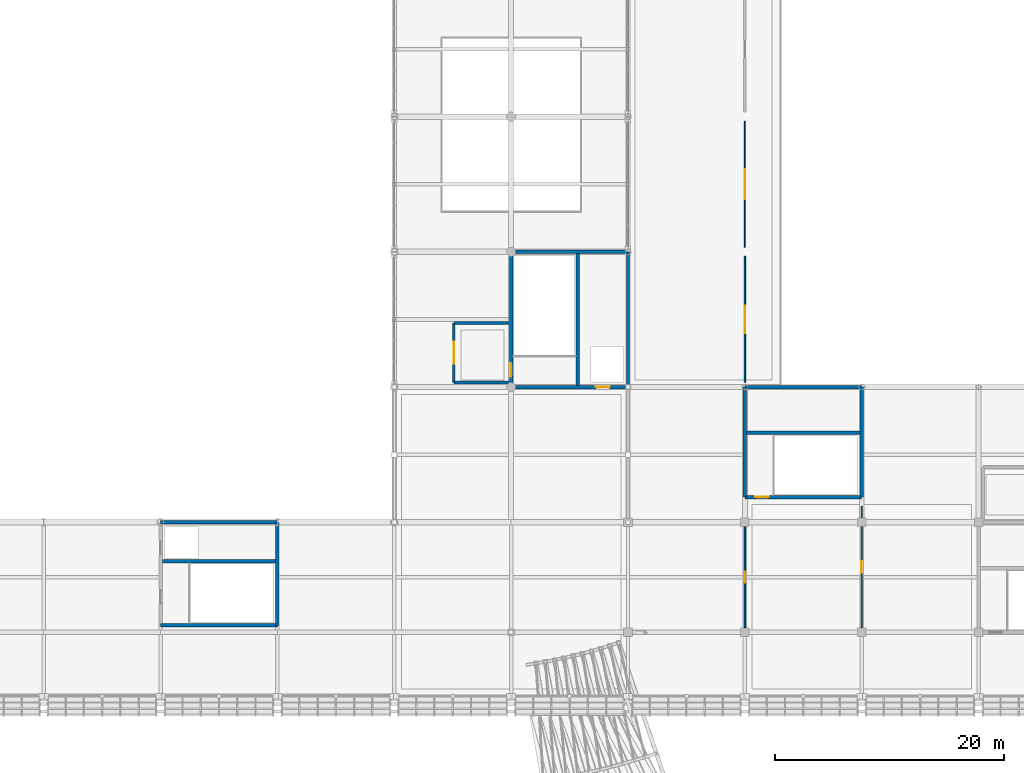
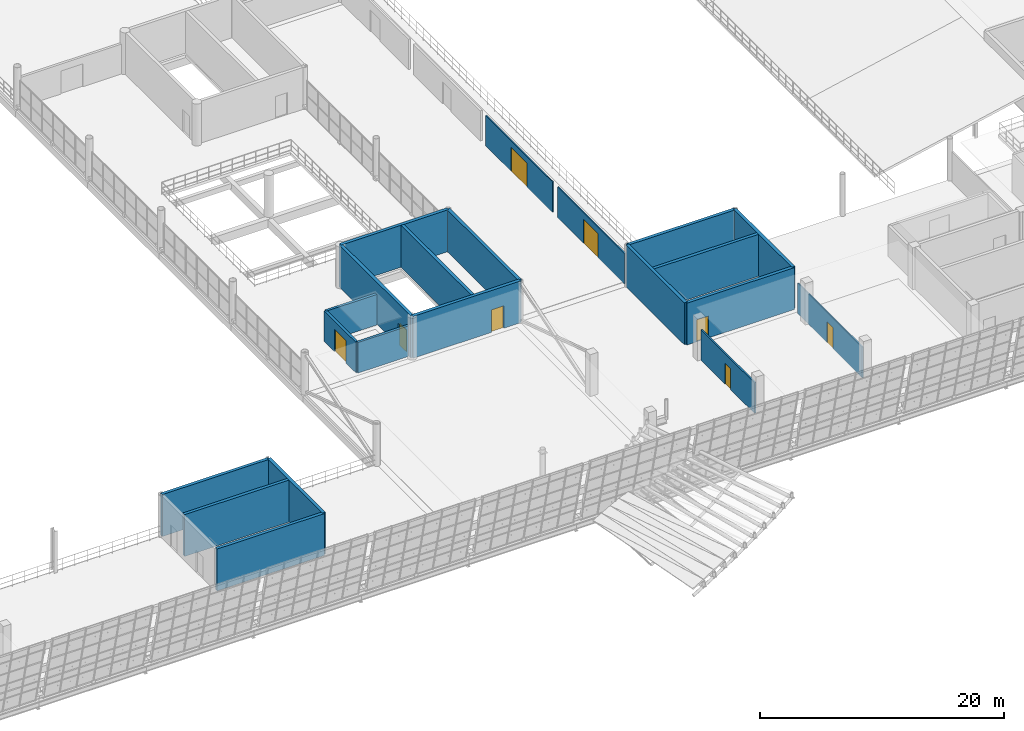
# One storey, part 129 of 157: 21 walls, 8 doors, 8 openings.
"""IFC4 building model written with IfcOpenShell, lengths in metres."""

from ifc_helpers import new_model, si_unit, direction, frame, frame_2d, origin, place, context, subcontext, project, spatial, rectangle, extrude, material, layer, layer_set, type_object, element, fill, save


model = new_model("IFC4")

# Units and contexts
model_context = context("Model", 3, precision=1e-05, world=origin(), true_north=direction((0.0, 1.0)))
body_context = subcontext(model_context, "Body", "Model", "MODEL_VIEW")
ifc_project = project(units=[si_unit("LENGTHUNIT", "METRE"), si_unit("AREAUNIT", "SQUARE_METRE"), si_unit("VOLUMEUNIT", "CUBIC_METRE"), si_unit("PLANEANGLEUNIT", "RADIAN"), si_unit("MASSUNIT", "GRAM", prefix="KILO")], contexts=[model_context])

# Site, building, storey
site_placement = place(None, origin())
site = spatial("IfcSite", under=ifc_project, at=site_placement, CompositionType="ELEMENT")
building_placement = place(site_placement, origin())
building = spatial("IfcBuilding", under=site, at=building_placement, Name="Brelvane Convention Centre", CompositionType="ELEMENT")
storey_placement = place(building_placement, frame((0.0, 0.0, 10.800048828125)))
storey = spatial("IfcBuildingStorey", under=building, at=storey_placement, Name="L02", CompositionType="ELEMENT", Elevation=10.800048828125)

# Wall, opening, door
ifc_material_1 = material(Name="Fire-Rated Acoustic Gypsum Partition Board Grade A")
ifc_layer_1 = layer(ifc_material_1, 0.14501953125)
ifc_layer_set_1 = layer_set([ifc_layer_1], Name="Fire-Rated Acoustic Gypsum Partition Board Grade A")
wall_type_1 = type_object("IfcWallType", Name="Interior Wall IW-AC-145", PredefinedType="PARTITIONING", material=ifc_layer_set_1)
wall_1_placement = place(storey_placement, frame((173.39990234375, 19.60009765625, 0.0), z_axis=(0.0, 0.0, 1.0), x_axis=(0.0, 1.0, 0.0)))
wall_1 = element("IfcWall", 1, at=wall_1_placement, inside=storey, type_object=wall_type_1, Name="Interior Partition L02-BIL1", PredefinedType="PARTITIONING", context=body_context, shape_type="SweptSolid", body=[
    extrude(rectangle(XDim=8.7998046875, YDim=0.14501953125, at=frame_2d((4.39990234375, 0.0))), origin(), (0.0, 0.0, 1.0), 3.06005859375),
])
opening_1_placement = place(wall_1_placement, frame((3.929931640625, 0.0, 0.0)))
opening_1 = element("IfcOpeningElement", 2, at=opening_1_placement, cuts=wall_1, Name="Opening DR-IN-11R", PredefinedType="OPENING", context=body_context, shape_type="SweptSolid", body=[
    extrude(rectangle(XDim=0.93994140625, YDim=2.080078125, at=frame_2d((0.469970703125, 1.0400390625))), frame((0.0, 0.08251953125, 0.0), z_axis=(0.0, -1.0, 0.0), x_axis=(1.0, 0.0, 0.0)), (0.0, 0.0, 1.0), 0.1650390625),
])
ifc_material_2 = material(Name="Solid-Core Fire-Rated Hardwood Leaf Grade 1", Category="wood")
door_type_1 = type_object("IfcDoorType", Name="Interior Door DR-IN-11R", OperationType="NOTDEFINED", PredefinedType="DOOR", material=ifc_material_2)
door_1_placement = place(opening_1_placement, origin())
door_1 = element("IfcDoor", 3, at=door_1_placement, inside=storey, type_object=door_type_1, Name="Interior Door L02-BIL1 (DR-IN-11R)", OperationType="SINGLE_SWING_RIGHT", OverallHeight=2.080078125, OverallWidth=0.93994140625, PredefinedType="DOOR", context=body_context, shape_type="SweptSolid", body=[
    extrude(rectangle(XDim=0.93994140625, YDim=2.080078125, at=frame_2d((0.469970703125, 1.0400390625))), frame((0.0, 0.02490234375, 0.0), z_axis=(0.0, -1.0, 0.0), x_axis=(1.0, 0.0, 0.0)), (0.0, 0.0, 1.0), 0.050048828125),
])
fill(opening_1, door_1)

ifc_material_3 = material(Name="Concrete M40", Category="concrete")
ifc_layer_2 = layer(ifc_material_3, 0.239990234375)
ifc_layer_set_2 = layer_set([ifc_layer_2], Name="Concrete M40")
wall_type_2 = type_object("IfcWallType", Name="Interior Wall IW-FR-240", PredefinedType="PARTITIONING", material=ifc_layer_set_2)
wall_2_placement = place(storey_placement, frame((148.0, 41.0, 0.0), z_axis=(0.0, 0.0, 1.0), x_axis=(0.0, 1.0, 0.0)))
wall_2 = element("IfcWall", 4, at=wall_2_placement, inside=storey, type_object=wall_type_2, Name="Firefighting Lobby C3 Wall W (L02)", PredefinedType="PARTITIONING", context=body_context, shape_type="SweptSolid", body=[
    extrude(rectangle(XDim=5.199951171875, YDim=0.239990234375, at=frame_2d((2.60009765625, 0.0))), origin(), (0.0, 0.0, 1.0), 3.06005859375),
])
opening_2_placement = place(wall_2_placement, frame((1.64990234375, 0.0, 0.0)))
opening_2 = element("IfcOpeningElement", 5, at=opening_2_placement, cuts=wall_2, Name="Opening DR-FL-01", PredefinedType="OPENING", context=body_context, shape_type="SweptSolid", body=[
    extrude(rectangle(XDim=1.89990234375, YDim=2.25, at=frame_2d((0.949951171875, 1.125))), frame((0.0, 0.1298828125, 0.0), z_axis=(0.0, -1.0, 0.0), x_axis=(1.0, 0.0, 0.0)), (0.0, 0.0, 1.0), 0.260009765625),
])
ifc_material_4 = material(Name="Galvanised Hollow-Metal Fire Door Steel E250", Category="steel")
door_type_2 = type_object("IfcDoorType", Name="Interior Door DR-FL-01", OperationType="NOTDEFINED", PredefinedType="DOOR", material=ifc_material_4)
door_2_placement = place(opening_2_placement, origin())
door_2 = element("IfcDoor", 6, at=door_2_placement, inside=storey, type_object=door_type_2, Name="Firefighting Lobby C3 Smoke Door (L02)", OperationType="DOUBLE_DOOR_SINGLE_SWING", OverallHeight=2.25, OverallWidth=1.89990234375, PredefinedType="DOOR", context=body_context, shape_type="SweptSolid", body=[
    extrude(rectangle(XDim=1.89990234375, YDim=2.25, at=frame_2d((0.949951171875, 1.125))), frame((0.0, 0.02490234375, 0.0), z_axis=(0.0, -1.0, 0.0), x_axis=(1.0, 0.0, 0.0)), (0.0, 0.0, 1.0), 0.050048828125),
])
fill(opening_2, door_2)

# Walls
for number, where, z_axis, x_axis, name in (
    (7, (148.0, 46.199951171875, 0.0), (0.0, 0.0, 1.0), (1.0, 0.0, 0.0), "Firefighting Lobby C3 Wall N (L02)"),
    (8, (148.0, 41.0, 0.0), (0.0, 0.0, 1.0), (1.0, 0.0, 0.0), "Firefighting Lobby C3 Wall S (L02)"),
):
    element("IfcWall", number, at=place(storey_placement, frame(where, z_axis=z_axis, x_axis=x_axis)), inside=storey, type_object=wall_type_2, Name=name, PredefinedType="PARTITIONING", context=body_context, shape_type="SweptSolid", body=[
        extrude(rectangle(XDim=4.800048828125, YDim=0.239990234375, at=frame_2d((2.39990234375, 0.0))), origin(), (0.0, 0.0, 1.0), 3.06005859375),
    ])

# Wall, opening, door
ifc_material_5 = material(Name="Fire-Rated Acoustic Gypsum Partition Board Grade A")
ifc_layer_3 = layer(ifc_material_5, 0.10498046875)
ifc_layer_set_3 = layer_set([ifc_layer_3], Name="Fire-Rated Acoustic Gypsum Partition Board Grade A")
wall_type_3 = type_object("IfcWallType", Name="Interior Wall IW-PT-105", PredefinedType="PARTITIONING", material=ifc_layer_set_3)
wall_3_placement = place(storey_placement, frame((173.39990234375, 52.800048828125, 0.0), z_axis=(0.0, 0.0, 1.0), x_axis=(0.0, 1.0, 0.0)))
wall_3 = element("IfcWall", 9, at=wall_3_placement, inside=storey, type_object=wall_type_3, Name="Interior Partition L02-PLEN-W2", PredefinedType="PARTITIONING", context=body_context, shape_type="SweptSolid", body=[
    extrude(rectangle(XDim=11.0, YDim=0.10498046875, at=frame_2d((5.5, 0.0))), origin(), (0.0, 0.0, 1.0), 3.06005859375),
])
opening_3_placement = place(wall_3_placement, frame((4.199951171875, 0.0, 0.0)))
opening_3 = element("IfcOpeningElement", 10, at=opening_3_placement, cuts=wall_3, Name="Opening DR-IN-09", PredefinedType="OPENING", context=body_context, shape_type="SweptSolid", body=[
    extrude(rectangle(XDim=2.60009765625, YDim=2.39990234375, at=frame_2d((1.300048828125, 1.199951171875))), frame((0.0, 0.0625, 0.0), z_axis=(0.0, -1.0, 0.0), x_axis=(1.0, 0.0, 0.0)), (0.0, 0.0, 1.0), 0.125),
])
ifc_material_6 = material(Name="Galvanised Hollow-Metal Fire Door Steel E250", Category="steel")
door_type_3 = type_object("IfcDoorType", Name="Interior Door DR-IN-09", OperationType="NOTDEFINED", PredefinedType="DOOR", material=ifc_material_6)
door_3_placement = place(opening_3_placement, origin())
door_3 = element("IfcDoor", 11, at=door_3_placement, inside=storey, type_object=door_type_3, Name="Interior Door L02-PLEN-W2 (DR-IN-09)", OperationType="DOUBLE_DOOR_SINGLE_SWING", OverallHeight=2.39990234375, OverallWidth=2.60009765625, PredefinedType="DOOR", context=body_context, shape_type="SweptSolid", body=[
    extrude(rectangle(XDim=2.60009765625, YDim=2.39990234375, at=frame_2d((1.300048828125, 1.199951171875))), frame((0.0, 0.02490234375, 0.0), z_axis=(0.0, -1.0, 0.0), x_axis=(1.0, 0.0, 0.0)), (0.0, 0.0, 1.0), 0.050048828125),
])
fill(opening_3, door_3)

ifc_material_7 = material(Name="Fire-Rated Acoustic Gypsum Partition Board Grade A")
ifc_layer_4 = layer(ifc_material_7, 0.114990234375)
ifc_layer_set_4 = layer_set([ifc_layer_4], Name="Fire-Rated Acoustic Gypsum Partition Board Grade A")
wall_type_4 = type_object("IfcWallType", Name="Interior Wall IW-PT-115", PredefinedType="PARTITIONING", material=ifc_layer_set_4)
wall_4_placement = place(storey_placement, frame((173.39990234375, 41.0, 0.0), z_axis=(0.0, 0.0, 1.0), x_axis=(0.0, 1.0, 0.0)))
wall_4 = element("IfcWall", 12, at=wall_4_placement, inside=storey, type_object=wall_type_4, Name="Interior Partition L02-PLEN-W1", PredefinedType="PARTITIONING", context=body_context, shape_type="SweptSolid", body=[
    extrude(rectangle(XDim=11.0, YDim=0.114990234375, at=frame_2d((5.5, 0.0))), origin(), (0.0, 0.0, 1.0), 3.06005859375),
])
opening_4_placement = place(wall_4_placement, frame((4.300048828125, 0.0, 0.0)))
opening_4 = element("IfcOpeningElement", 13, at=opening_4_placement, cuts=wall_4, Name="Opening DR-IN-08", PredefinedType="OPENING", context=body_context, shape_type="SweptSolid", body=[
    extrude(rectangle(XDim=2.39990234375, YDim=2.39990234375, at=frame_2d((1.199951171875, 1.199951171875))), frame((0.0, 0.0673828125, 0.0), z_axis=(0.0, -1.0, 0.0), x_axis=(1.0, 0.0, 0.0)), (0.0, 0.0, 1.0), 0.135009765625),
])
ifc_material_8 = material(Name="Solid-Core Fire-Rated Hardwood Leaf Grade 1", Category="wood")
door_type_4 = type_object("IfcDoorType", Name="Interior Door DR-IN-08", OperationType="NOTDEFINED", PredefinedType="DOOR", material=ifc_material_8)
door_4_placement = place(opening_4_placement, origin())
door_4 = element("IfcDoor", 14, at=door_4_placement, inside=storey, type_object=door_type_4, Name="Interior Door L02-PLEN-W1 (DR-IN-08)", OperationType="DOUBLE_DOOR_SINGLE_SWING", OverallHeight=2.39990234375, OverallWidth=2.39990234375, PredefinedType="DOOR", context=body_context, shape_type="SweptSolid", body=[
    extrude(rectangle(XDim=2.39990234375, YDim=2.39990234375, at=frame_2d((1.199951171875, 1.199951171875))), frame((0.0, 0.02490234375, 0.0), z_axis=(0.0, -1.0, 0.0), x_axis=(1.0, 0.0, 0.0)), (0.0, 0.0, 1.0), 0.050048828125),
])
fill(opening_4, door_4)

wall_5_placement = place(storey_placement, frame((183.60009765625, 19.60009765625, 0.0), z_axis=(0.0, 0.0, 1.0), x_axis=(0.0, 1.0, 0.0)))
wall_5 = element("IfcWall", 15, at=wall_5_placement, inside=storey, type_object=wall_type_4, Name="Interior Partition L02-BIL2", PredefinedType="PARTITIONING", context=body_context, shape_type="SweptSolid", body=[
    extrude(rectangle(XDim=10.599853515625, YDim=0.114990234375, at=frame_2d((5.2998046875, 0.0))), origin(), (0.0, 0.0, 1.0), 3.06005859375),
])
opening_5_placement = place(wall_5_placement, frame((4.81005859375, 0.0, 0.0)))
opening_5 = element("IfcOpeningElement", 16, at=opening_5_placement, cuts=wall_5, Name="Opening DR-IN-12L", PredefinedType="OPENING", context=body_context, shape_type="SweptSolid", body=[
    extrude(rectangle(XDim=0.97998046875, YDim=2.1201171875, at=frame_2d((0.489990234375, 1.06005859375))), frame((0.0, 0.0673828125, 0.0), z_axis=(0.0, -1.0, 0.0), x_axis=(1.0, 0.0, 0.0)), (0.0, 0.0, 1.0), 0.135009765625),
])
ifc_material_9 = material(Name="Solid-Core Fire-Rated Hardwood Leaf Grade 1", Category="wood")
door_type_5 = type_object("IfcDoorType", Name="Interior Door DR-IN-12L", OperationType="NOTDEFINED", PredefinedType="DOOR", material=ifc_material_9)
door_5_placement = place(opening_5_placement, origin())
door_5 = element("IfcDoor", 17, at=door_5_placement, inside=storey, type_object=door_type_5, Name="Interior Door L02-BIL2 (DR-IN-12L)", OperationType="SINGLE_SWING_LEFT", OverallHeight=2.1201171875, OverallWidth=0.97998046875, PredefinedType="DOOR", context=body_context, shape_type="SweptSolid", body=[
    extrude(rectangle(XDim=0.97998046875, YDim=2.1201171875, at=frame_2d((0.489990234375, 1.06005859375))), frame((0.0, 0.02490234375, 0.0), z_axis=(0.0, -1.0, 0.0), x_axis=(1.0, 0.0, 0.0)), (0.0, 0.0, 1.0), 0.050048828125),
])
fill(opening_5, door_5)

# Walls
ifc_material_10 = material(Name="Concrete M50", Category="concrete")
ifc_layer_5 = layer(ifc_material_10, 0.300048828125)
ifc_layer_set_5 = layer_set([ifc_layer_5], Name="Concrete M50")
wall_type_5 = type_object("IfcWallType", Name="Structural Wall WL-CORE-300", PredefinedType="SHEAR", material=ifc_layer_set_5)
for number, where, z_axis, x_axis, name in (
    (18, (122.39990234375, 19.800048828125, 0.0), (0.0, 0.0, 1.0), (1.0, 0.0, 0.0), "Core C2 Shear Wall S (L02)"),
    (19, (122.39990234375, 28.800048828125, 0.0), (0.0, 0.0, 1.0), (1.0, 0.0, 0.0), "Core C2 Shear Wall N (L02)"),
):
    element("IfcWall", number, at=place(storey_placement, frame(where, z_axis=z_axis, x_axis=x_axis)), inside=storey, type_object=wall_type_5, Name=name, PredefinedType="SHEAR", context=body_context, shape_type="SweptSolid", body=[
        extrude(rectangle(XDim=10.2001953125, YDim=0.300048828125, at=frame_2d((5.10009765625, 0.0))), origin(), (0.0, 0.0, 1.0), 4.199951171875),
    ])
wall_6_placement = place(storey_placement, frame((132.60009765625, 19.800048828125, 0.0), z_axis=(0.0, 0.0, 1.0), x_axis=(0.0, 1.0, 0.0)))
element("IfcWall", 20, at=wall_6_placement, inside=storey, type_object=wall_type_5, Name="Core C2 Shear Wall E (L02)", PredefinedType="SHEAR", context=body_context, shape_type="SweptSolid", body=[
    extrude(rectangle(XDim=9.0, YDim=0.300048828125, at=frame_2d((4.5, 0.0))), origin(), (0.0, 0.0, 1.0), 4.199951171875),
])

# Wall, opening, door
wall_7_placement = place(storey_placement, frame((153.0, 40.60009765625, 0.0), z_axis=(0.0, 0.0, 1.0), x_axis=(1.0, 0.0, 0.0)))
wall_7 = element("IfcWall", 21, at=wall_7_placement, inside=storey, type_object=wall_type_5, Name="Core C3 Shear Wall S (L02)", PredefinedType="SHEAR", context=body_context, shape_type="SweptSolid", body=[
    extrude(rectangle(XDim=10.199951171875, YDim=0.300048828125, at=frame_2d((5.10009765625, 0.0))), origin(), (0.0, 0.0, 1.0), 4.199951171875),
])
opening_6_placement = place(wall_7_placement, frame((7.39990234375, 0.0, 0.0)))
opening_6 = element("IfcOpeningElement", 22, at=opening_6_placement, cuts=wall_7, Name="Opening LD-01", PredefinedType="OPENING", context=body_context, shape_type="SweptSolid", body=[
    extrude(rectangle(XDim=1.199951171875, YDim=2.25, at=frame_2d((0.60009765625, 1.125))), frame((0.0, 0.159912109375, 0.0), z_axis=(0.0, -1.0, 0.0), x_axis=(1.0, 0.0, 0.0)), (0.0, 0.0, 1.0), 0.320068359375),
])
ifc_material_11 = material(Name="Galvanised Hollow-Metal Fire Door Steel E250", Category="steel")
door_type_6 = type_object("IfcDoorType", Name="Interior Door LD-01", OperationType="NOTDEFINED", PredefinedType="DOOR", material=ifc_material_11)
door_6_placement = place(opening_6_placement, origin())
door_6 = element("IfcDoor", 23, at=door_6_placement, inside=storey, type_object=door_type_6, Name="Lift LF-02 Landing Door (L02)", OperationType="SLIDING_TO_LEFT", OverallHeight=2.25, OverallWidth=1.199951171875, PredefinedType="DOOR", context=body_context, shape_type="SweptSolid", body=[
    extrude(rectangle(XDim=1.199951171875, YDim=2.25, at=frame_2d((0.60009765625, 1.125))), frame((0.0, 0.02490234375, 0.0), z_axis=(0.0, -1.0, 0.0), x_axis=(1.0, 0.0, 0.0)), (0.0, 0.0, 1.0), 0.050048828125),
])
fill(opening_6, door_6)

# Wall
wall_8_placement = place(storey_placement, frame((153.0, 52.39990234375, 0.0), z_axis=(0.0, 0.0, 1.0), x_axis=(1.0, 0.0, 0.0)))
element("IfcWall", 24, at=wall_8_placement, inside=storey, type_object=wall_type_5, Name="Core C3 Shear Wall N (L02)", PredefinedType="SHEAR", context=body_context, shape_type="SweptSolid", body=[
    extrude(rectangle(XDim=10.199951171875, YDim=0.300048828125, at=frame_2d((5.10009765625, 0.0))), origin(), (0.0, 0.0, 1.0), 4.199951171875),
])

# Wall, opening, door
wall_9_placement = place(storey_placement, frame((153.0, 40.60009765625, 0.0), z_axis=(0.0, 0.0, 1.0), x_axis=(0.0, 1.0, 0.0)))
wall_9 = element("IfcWall", 25, at=wall_9_placement, inside=storey, type_object=wall_type_5, Name="Core C3 Shear Wall W (L02)", PredefinedType="SHEAR", context=body_context, shape_type="SweptSolid", body=[
    extrude(rectangle(XDim=11.7998046875, YDim=0.300048828125, at=frame_2d((5.89990234375, 0.0))), origin(), (0.0, 0.0, 1.0), 4.199951171875),
])
opening_7_placement = place(wall_9_placement, frame((0.919921875, 0.0, 0.0)))
opening_7 = element("IfcOpeningElement", 26, at=opening_7_placement, cuts=wall_9, Name="Opening DR-IN-04L", PredefinedType="OPENING", context=body_context, shape_type="SweptSolid", body=[
    extrude(rectangle(XDim=1.159912109375, YDim=2.199951171875, at=frame_2d((0.580078125, 1.10009765625))), frame((0.0, 0.159912109375, 0.0), z_axis=(0.0, -1.0, 0.0), x_axis=(1.0, 0.0, 0.0)), (0.0, 0.0, 1.0), 0.320068359375),
])
ifc_material_12 = material(Name="Galvanised Hollow-Metal Fire Door Steel E250", Category="steel")
door_type_7 = type_object("IfcDoorType", Name="Interior Door DR-IN-04L", OperationType="NOTDEFINED", PredefinedType="DOOR", material=ifc_material_12)
door_7_placement = place(opening_7_placement, origin())
door_7 = element("IfcDoor", 27, at=door_7_placement, inside=storey, type_object=door_type_7, Name="Stair ST-03 Door (L02)", OperationType="SINGLE_SWING_LEFT", OverallHeight=2.199951171875, OverallWidth=1.159912109375, PredefinedType="DOOR", context=body_context, shape_type="SweptSolid", body=[
    extrude(rectangle(XDim=1.159912109375, YDim=2.199951171875, at=frame_2d((0.580078125, 1.10009765625))), frame((0.0, 0.02490234375, 0.0), z_axis=(0.0, -1.0, 0.0), x_axis=(1.0, 0.0, 0.0)), (0.0, 0.0, 1.0), 0.050048828125),
])
fill(opening_7, door_7)

# Walls
wall_10_placement = place(storey_placement, frame((163.199951171875, 40.60009765625, 0.0), z_axis=(0.0, 0.0, 1.0), x_axis=(0.0, 1.0, 0.0)))
element("IfcWall", 28, at=wall_10_placement, inside=storey, type_object=wall_type_5, Name="Core C3 Shear Wall E (L02)", PredefinedType="SHEAR", context=body_context, shape_type="SweptSolid", body=[
    extrude(rectangle(XDim=11.7998046875, YDim=0.300048828125, at=frame_2d((5.89990234375, 0.0))), origin(), (0.0, 0.0, 1.0), 4.199951171875),
])
wall_11_placement = place(storey_placement, frame((122.550048828125, 25.39990234375, 0.0), z_axis=(0.0, 0.0, 1.0), x_axis=(1.0, 0.0, 0.0)))
element("IfcWall", 29, at=wall_11_placement, inside=storey, type_object=wall_type_5, Name="Core C2 Shaft Divider Wall (L02)", PredefinedType="SHEAR", context=body_context, shape_type="SweptSolid", body=[
    extrude(rectangle(XDim=9.89990234375, YDim=0.300048828125, at=frame_2d((4.949951171875, 0.0))), origin(), (0.0, 0.0, 1.0), 4.199951171875),
])
wall_12_placement = place(storey_placement, frame((158.800048828125, 40.75, 0.0), z_axis=(0.0, 0.0, 1.0), x_axis=(0.0, 1.0, 0.0)))
element("IfcWall", 30, at=wall_12_placement, inside=storey, type_object=wall_type_5, Name="Core C3 Shaft Divider Wall (L02)", PredefinedType="SHEAR", context=body_context, shape_type="SweptSolid", body=[
    extrude(rectangle(XDim=11.5, YDim=0.300048828125, at=frame_2d((5.75, 0.0))), origin(), (0.0, 0.0, 1.0), 4.199951171875),
])

# Wall, opening, door
wall_13_placement = place(storey_placement, frame((173.39990234375, 31.0, 0.0), z_axis=(0.0, 0.0, 1.0), x_axis=(1.0, 0.0, 0.0)))
wall_13 = element("IfcWall", 31, at=wall_13_placement, inside=storey, type_object=wall_type_5, Name="Stair Core ST-18 Wall S (L02)", PredefinedType="SHEAR", context=body_context, shape_type="SweptSolid", body=[
    extrude(rectangle(XDim=10.2001953125, YDim=0.300048828125, at=frame_2d((5.10009765625, 0.0))), origin(), (0.0, 0.0, 1.0), 4.199951171875),
])
opening_8_placement = place(wall_13_placement, frame((0.919921875, 0.0, 0.0)))
opening_8 = element("IfcOpeningElement", 32, at=opening_8_placement, cuts=wall_13, Name="Opening DR-IN-04L", PredefinedType="OPENING", context=body_context, shape_type="SweptSolid", body=[
    extrude(rectangle(XDim=1.159912109375, YDim=2.199951171875, at=frame_2d((0.580078125, 1.10009765625))), frame((0.0, 0.159912109375, 0.0), z_axis=(0.0, -1.0, 0.0), x_axis=(1.0, 0.0, 0.0)), (0.0, 0.0, 1.0), 0.320068359375),
])
door_8_placement = place(opening_8_placement, origin())
door_8 = element("IfcDoor", 33, at=door_8_placement, inside=storey, type_object=door_type_7, Name="Stair ST-18 Entry Door (L02)", OperationType="SINGLE_SWING_LEFT", OverallHeight=2.199951171875, OverallWidth=1.159912109375, PredefinedType="DOOR", context=body_context, shape_type="SweptSolid", body=[
    extrude(rectangle(XDim=1.159912109375, YDim=2.199951171875, at=frame_2d((0.580078125, 1.10009765625))), frame((0.0, 0.02490234375, 0.0), z_axis=(0.0, -1.0, 0.0), x_axis=(1.0, 0.0, 0.0)), (0.0, 0.0, 1.0), 0.050048828125),
])
fill(opening_8, door_8)

# Walls
wall_14_placement = place(storey_placement, frame((173.39990234375, 40.60009765625, 0.0), z_axis=(0.0, 0.0, 1.0), x_axis=(1.0, 0.0, 0.0)))
element("IfcWall", 34, at=wall_14_placement, inside=storey, type_object=wall_type_5, Name="Stair Core ST-18 Wall N (L02)", PredefinedType="SHEAR", context=body_context, shape_type="SweptSolid", body=[
    extrude(rectangle(XDim=10.2001953125, YDim=0.300048828125, at=frame_2d((5.10009765625, 0.0))), origin(), (0.0, 0.0, 1.0), 4.199951171875),
])
for number, where, z_axis, x_axis, name in (
    (35, (173.39990234375, 31.0, 0.0), (0.0, 0.0, 1.0), (0.0, 1.0, 0.0), "Stair Core ST-18 Wall W (L02)"),
    (36, (183.60009765625, 31.0, 0.0), (0.0, 0.0, 1.0), (0.0, 1.0, 0.0), "Stair Core ST-18 Wall E (L02)"),
):
    element("IfcWall", number, at=place(storey_placement, frame(where, z_axis=z_axis, x_axis=x_axis)), inside=storey, type_object=wall_type_5, Name=name, PredefinedType="SHEAR", context=body_context, shape_type="SweptSolid", body=[
        extrude(rectangle(XDim=9.60009765625, YDim=0.300048828125, at=frame_2d((4.800048828125, 0.0))), origin(), (0.0, 0.0, 1.0), 4.199951171875),
    ])
wall_15_placement = place(storey_placement, frame((173.550048828125, 36.60009765625, 0.0), z_axis=(0.0, 0.0, 1.0), x_axis=(1.0, 0.0, 0.0)))
element("IfcWall", 37, at=wall_15_placement, inside=storey, type_object=wall_type_5, Name="Stair Core ST-18 Well Wall (L02)", PredefinedType="SHEAR", context=body_context, shape_type="SweptSolid", body=[
    extrude(rectangle(XDim=9.89990234375, YDim=0.300048828125, at=frame_2d((4.949951171875, 0.0))), origin(), (0.0, 0.0, 1.0), 4.199951171875),
])

save(model, "model.ifc")
